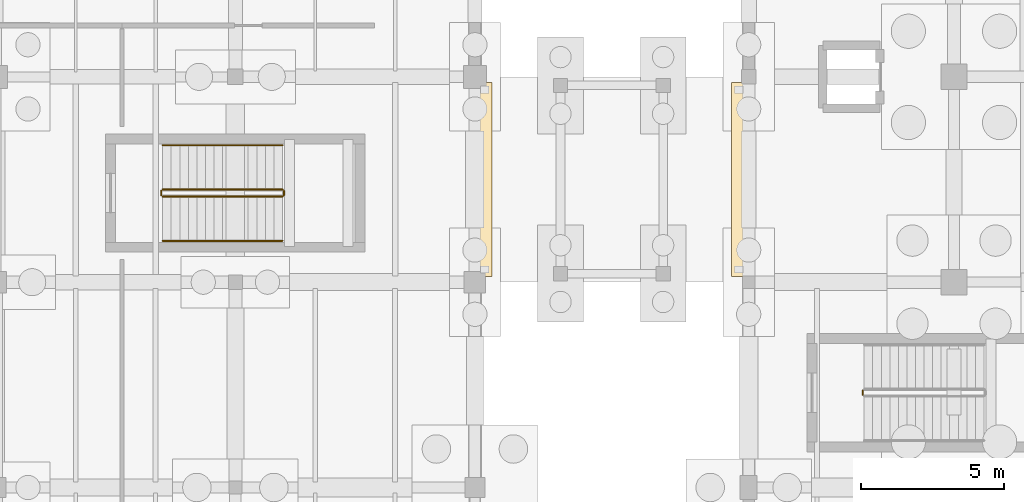
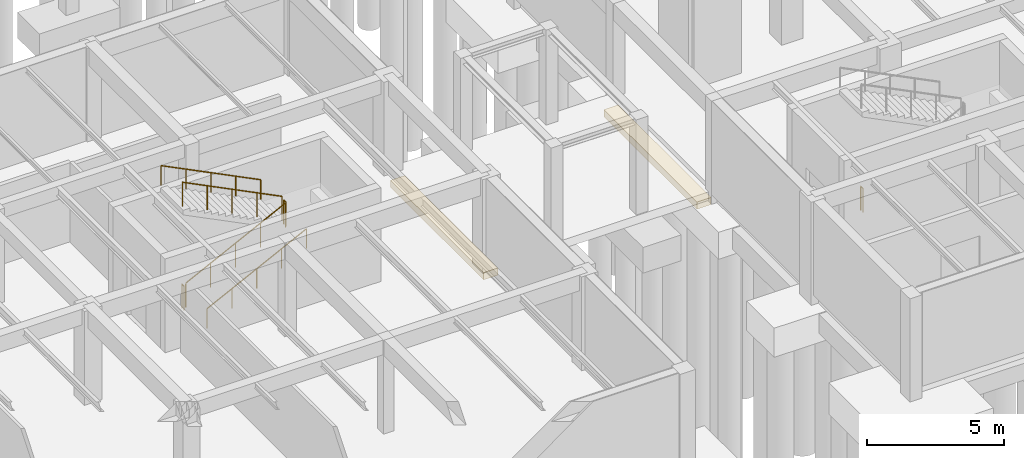
# One storey, part 57 of 63: 7 railings, 2 coverings.
"""IFC4 building model written with IfcOpenShell, lengths in metres."""

from ifc_helpers import new_model, si_unit, direction, frame, origin, origin_2d, place, context, subcontext, project, spatial, polyline, circle, outline, extrude, material, layer, layer_set, type_object, element, save


model = new_model("IFC4")

# Units and contexts
model_context = context("Model", 3, precision=1e-05, world=origin(), true_north=direction((0.0, 1.0)))
body_context = subcontext(model_context, "Body", "Model", "MODEL_VIEW")
ifc_project = project(units=[si_unit("LENGTHUNIT", "METRE"), si_unit("AREAUNIT", "SQUARE_METRE"), si_unit("VOLUMEUNIT", "CUBIC_METRE"), si_unit("PLANEANGLEUNIT", "RADIAN"), si_unit("MASSUNIT", "GRAM", prefix="KILO")], contexts=[model_context])

# Site, building, storey
site_placement = place(None, origin())
site = spatial("IfcSite", under=ifc_project, at=site_placement, CompositionType="ELEMENT")
building_placement = place(site_placement, origin())
building = spatial("IfcBuilding", under=site, at=building_placement, Name="Mazaris Harbour Polytechnic", CompositionType="ELEMENT")
storey_placement = place(building_placement, frame((0.0, 0.0, -4.5)))
storey = spatial("IfcBuildingStorey", under=building, at=storey_placement, Name="B1", CompositionType="ELEMENT", Elevation=-4.5)

# Coverings
ifc_material_1 = material(Name="Concrete C40/50", Category="concrete")
ifc_layer = layer(ifc_material_1, 0.320068359375, Name="Concrete C40/50")
ifc_layer_set = layer_set([ifc_layer], Name="Concrete C40/50")
covering_type = type_object("IfcCoveringType", Name="Bridge Bearing Corbel 600", PredefinedType="CLADDING", material=ifc_layer_set)
covering_1_placement = place(storey_placement, frame((0.0, 0.0, -0.764892578125)))
element("IfcCovering", 1, at=covering_1_placement, inside=storey, type_object=covering_type, Name="PB-E1 B1 600mm Bridge Bearing Seat Corbel W", PredefinedType="CLADDING", context=body_context, shape_type="SweptSolid", body=[
    extrude(outline(polyline([(112.800048828125, 21.800048828125), (113.39990234375, 21.800048828125), (113.39990234375, 28.60009765625), (112.800048828125, 28.60009765625), (112.800048828125, 21.800048828125)])), origin(), (0.0, 0.0, 1.0), 0.31982421875),
])
covering_2_placement = place(storey_placement, frame((0.0, 0.0, -0.764892578125)))
element("IfcCovering", 2, at=covering_2_placement, inside=storey, type_object=covering_type, Name="PB-E1 B1 600mm Bridge Bearing Seat Corbel E", PredefinedType="CLADDING", context=body_context, shape_type="SweptSolid", body=[
    extrude(outline(polyline([(121.800048828125, 21.800048828125), (122.39990234375, 21.800048828125), (122.39990234375, 28.60009765625), (121.800048828125, 28.60009765625), (121.800048828125, 21.800048828125)])), origin(), (0.0, 0.0, 1.0), 0.31982421875),
])

# Railings
ifc_material_2 = material(Name="Stainless Steel S355", Category="steel")
railing_type_1 = type_object("IfcRailingType", Name="Stair Wall Handrail 900", PredefinedType="HANDRAIL", material=ifc_material_2)
railing_1_placement = place(storey_placement, frame((101.85009765625, 23.050048828125, 0.14990234375)))
element("IfcRailing", 3, at=railing_1_placement, inside=storey, type_object=railing_type_1, Name="B1 ST06 stair handrail 1", PredefinedType="HANDRAIL", context=body_context, shape_type="SweptSolid", body=[
    extrude(circle(Radius=0.02392578125, at=origin_2d()), frame((0.0, 0.0, 0.8759765625), z_axis=(0.894416792377, 0.0, 0.447234392142), x_axis=(0.0, 1.0, 0.0)), (0.0, 0.0, 1.0), 4.69580078125),
    extrude(circle(Radius=0.02099609375, at=origin_2d()), origin(), (0.0, 0.0, 1.0), 0.851806640625),
    extrude(circle(Radius=0.02099609375, at=origin_2d()), frame((1.050048828125, 0.0, 0.52490234375)), (0.0, 0.0, 1.0), 0.851806640625),
    extrude(circle(Radius=0.02099609375, at=origin_2d()), frame((2.10009765625, 0.0, 1.050048828125)), (0.0, 0.0, 1.0), 0.851806640625),
    extrude(circle(Radius=0.02099609375, at=origin_2d()), frame((3.14990234375, 0.0, 1.5751953125)), (0.0, 0.0, 1.0), 0.851806640625),
    extrude(circle(Radius=0.02099609375, at=origin_2d()), frame((4.199951171875, 0.0, 2.10009765625)), (0.0, 0.0, 1.0), 0.851806640625),
])
railing_2_placement = place(storey_placement, frame((106.050048828125, 26.39990234375, 2.39990234375)))
element("IfcRailing", 4, at=railing_2_placement, inside=storey, type_object=railing_type_1, Name="B1 ST06 stair handrail 2", PredefinedType="HANDRAIL", context=body_context, shape_type="SweptSolid", body=[
    extrude(circle(Radius=0.02392578125, at=origin_2d()), frame((0.0, 0.0, 0.8759765625), z_axis=(-0.894416792377, 0.0, 0.447234392142), x_axis=(0.0, -1.0, 0.0)), (0.0, 0.0, 1.0), 4.69580078125),
    extrude(circle(Radius=0.02099609375, at=origin_2d()), origin(), (0.0, 0.0, 1.0), 0.851806640625),
    extrude(circle(Radius=0.02099609375, at=origin_2d()), frame((-1.050048828125, 0.0, 0.52490234375)), (0.0, 0.0, 1.0), 0.851806640625),
    extrude(circle(Radius=0.02099609375, at=origin_2d()), frame((-2.10009765625, 0.0, 1.050048828125)), (0.0, 0.0, 1.0), 0.851806640625),
    extrude(circle(Radius=0.02099609375, at=origin_2d()), frame((-3.14990234375, 0.0, 1.5751953125)), (0.0, 0.0, 1.0), 0.851806640625),
    extrude(circle(Radius=0.02099609375, at=origin_2d()), frame((-4.199951171875, 0.0, 2.10009765625)), (0.0, 0.0, 1.0), 0.851806640625),
])
ifc_material_3 = material(Name="Steel S355", Category="steel")
railing_type_2 = type_object("IfcRailingType", Name="Stair Well Guardrail 1100", PredefinedType="GUARDRAIL", material=ifc_material_3)
railing_3_placement = place(storey_placement, frame((126.39990234375, 17.64990234375, 0.0)))
element("IfcRailing", 5, at=railing_3_placement, inside=storey, type_object=railing_type_2, Name="B1 ST03 stair guard 4", PredefinedType="GUARDRAIL", context=body_context, shape_type="SweptSolid", body=[
    extrude(circle(Radius=0.02392578125, at=origin_2d()), frame((0.0, 0.0, 1.076171875), z_axis=(0.0, 1.0, 0.0), x_axis=(-1.0, 0.0, 0.0)), (0.0, 0.0, 1.0), 0.150146484375),
    extrude(circle(Radius=0.02099609375, at=origin_2d()), origin(), (0.0, 0.0, 1.0), 1.052001953125),
    extrude(circle(Radius=0.02099609375, at=origin_2d()), frame((0.0, 0.150146484375, 0.0)), (0.0, 0.0, 1.0), 1.052001953125),
])
railing_4_placement = place(storey_placement, frame((101.85009765625, 24.60009765625, 0.14990234375)))
element("IfcRailing", 6, at=railing_4_placement, inside=storey, type_object=railing_type_2, Name="B1 ST06 stair guard 1", PredefinedType="GUARDRAIL", context=body_context, shape_type="SweptSolid", body=[
    extrude(circle(Radius=0.02392578125, at=origin_2d()), frame((0.0, 0.0, 1.076171875), z_axis=(0.894416792377, 0.0, 0.447234392142), x_axis=(0.0, 1.0, 0.0)), (0.0, 0.0, 1.0), 4.69580078125),
    extrude(circle(Radius=0.02099609375, at=origin_2d()), origin(), (0.0, 0.0, 1.0), 1.052001953125),
    extrude(circle(Radius=0.02099609375, at=origin_2d()), frame((1.050048828125, 0.0, 0.52490234375)), (0.0, 0.0, 1.0), 1.052001953125),
    extrude(circle(Radius=0.02099609375, at=origin_2d()), frame((2.10009765625, 0.0, 1.050048828125)), (0.0, 0.0, 1.0), 1.052001953125),
    extrude(circle(Radius=0.02099609375, at=origin_2d()), frame((3.14990234375, 0.0, 1.5751953125)), (0.0, 0.0, 1.0), 1.052001953125),
    extrude(circle(Radius=0.02099609375, at=origin_2d()), frame((4.199951171875, 0.0, 2.10009765625)), (0.0, 0.0, 1.0), 1.052001953125),
])
railing_5_placement = place(storey_placement, frame((106.10009765625, 24.64990234375, 2.25)))
element("IfcRailing", 7, at=railing_5_placement, inside=storey, type_object=railing_type_2, Name="B1 ST06 stair guard 2", PredefinedType="GUARDRAIL", context=body_context, shape_type="SweptSolid", body=[
    extrude(circle(Radius=0.02392578125, at=origin_2d()), frame((0.0, 0.0, 1.076171875), z_axis=(0.0, 1.0, 0.0), x_axis=(-1.0, 0.0, 0.0)), (0.0, 0.0, 1.0), 0.150146484375),
    extrude(circle(Radius=0.02099609375, at=origin_2d()), origin(), (0.0, 0.0, 1.0), 1.052001953125),
    extrude(circle(Radius=0.02099609375, at=origin_2d()), frame((0.0, 0.150146484375, 0.0)), (0.0, 0.0, 1.0), 1.052001953125),
])
railing_6_placement = place(storey_placement, frame((106.050048828125, 24.85009765625, 2.39990234375)))
element("IfcRailing", 8, at=railing_6_placement, inside=storey, type_object=railing_type_2, Name="B1 ST06 stair guard 3", PredefinedType="GUARDRAIL", context=body_context, shape_type="SweptSolid", body=[
    extrude(circle(Radius=0.02392578125, at=origin_2d()), frame((0.0, 0.0, 1.076171875), z_axis=(-0.894416792377, 0.0, 0.447234392142), x_axis=(0.0, -1.0, 0.0)), (0.0, 0.0, 1.0), 4.69580078125),
    extrude(circle(Radius=0.02099609375, at=origin_2d()), origin(), (0.0, 0.0, 1.0), 1.052001953125),
    extrude(circle(Radius=0.02099609375, at=origin_2d()), frame((-1.050048828125, 0.0, 0.52490234375)), (0.0, 0.0, 1.0), 1.052001953125),
    extrude(circle(Radius=0.02099609375, at=origin_2d()), frame((-2.10009765625, 0.0, 1.050048828125)), (0.0, 0.0, 1.0), 1.052001953125),
    extrude(circle(Radius=0.02099609375, at=origin_2d()), frame((-3.14990234375, 0.0, 1.5751953125)), (0.0, 0.0, 1.0), 1.052001953125),
    extrude(circle(Radius=0.02099609375, at=origin_2d()), frame((-4.199951171875, 0.0, 2.10009765625)), (0.0, 0.0, 1.0), 1.052001953125),
])
railing_7_placement = place(storey_placement, frame((101.800048828125, 24.64990234375, 0.0)))
element("IfcRailing", 9, at=railing_7_placement, inside=storey, type_object=railing_type_2, Name="B1 ST06 stair guard 4", PredefinedType="GUARDRAIL", context=body_context, shape_type="SweptSolid", body=[
    extrude(circle(Radius=0.02392578125, at=origin_2d()), frame((0.0, 0.0, 1.076171875), z_axis=(0.0, 1.0, 0.0), x_axis=(-1.0, 0.0, 0.0)), (0.0, 0.0, 1.0), 0.150146484375),
    extrude(circle(Radius=0.02099609375, at=origin_2d()), origin(), (0.0, 0.0, 1.0), 1.052001953125),
    extrude(circle(Radius=0.02099609375, at=origin_2d()), frame((0.0, 0.150146484375, 0.0)), (0.0, 0.0, 1.0), 1.052001953125),
])

save(model, "model.ifc")
